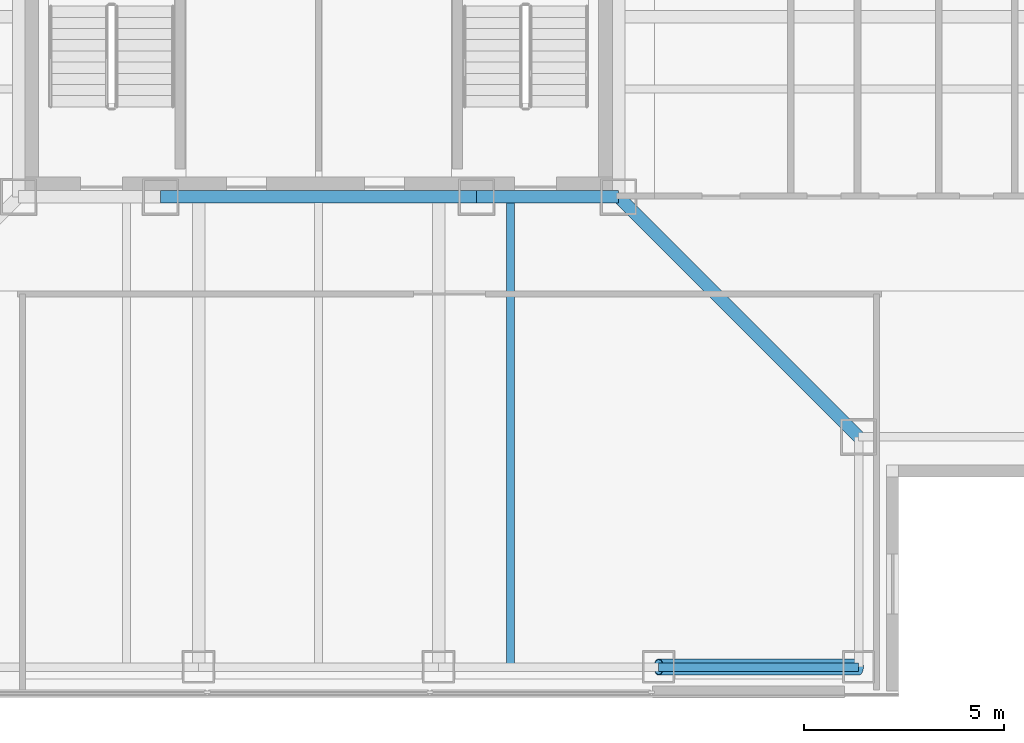
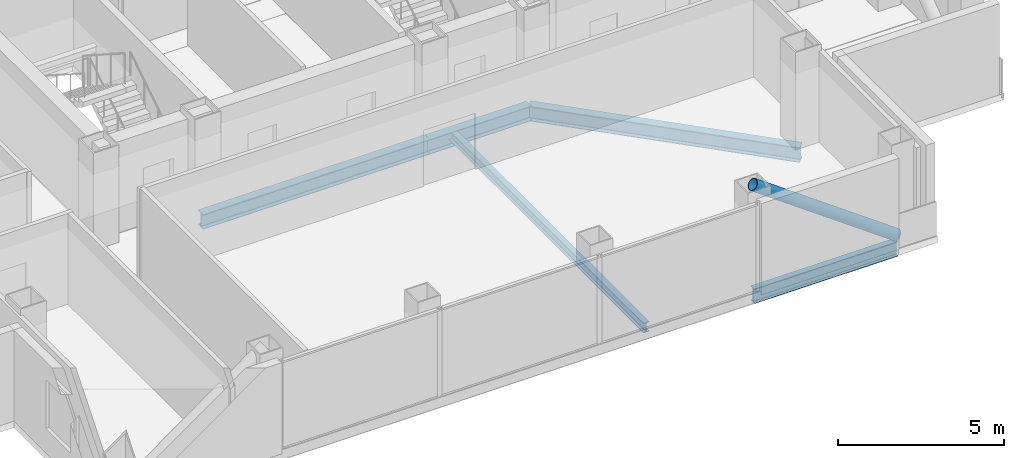
# One storey, part 3 of 16: 5 beams, 1 member.
"""IFC4 building model written with IfcOpenShell, lengths in metres."""

import ifcopenshell
import ifcopenshell.guid

model = None  # the IFC model being written
_history = None  # IfcOwnerHistory: only IFC2X3 demands one
_inside = {}  # id of a spatial element -> (the spatial element, [elements in it])
_under = {}  # id of a project, library or spatial element -> (it, [spatial elements below it])
_declared = {}  # id of a project -> (the project, [libraries it declares])
_typed = {}  # id of a type object -> (the type object, [elements of that type])
_made_of = {}  # id of a material, layer set ... -> (it, [elements and type objects made of it])


def new_model(schema):
    """Start an empty IFC model of exactly this schema.

    Asked for "IFC4X3", IfcOpenShell would pick the latest addendum, in which some entities
    have other attributes; the version numbers below select the first issue.
    IFC2X3 requires an IfcOwnerHistory on every rooted entity: one is made here for all.
    """
    global model, _history
    if schema == "IFC4X3":
        model = ifcopenshell.file(schema_version=(4, 3, 0, 0))
    else:
        model = ifcopenshell.file(schema=schema)
    _inside.clear()
    _under.clear()
    _declared.clear()
    _typed.clear()
    _made_of.clear()
    _history = None
    if model.schema == "IFC2X3":
        org = make("IfcOrganization", Name="unknown")
        user = make(
            "IfcPersonAndOrganization",
            ThePerson=make("IfcPerson", FamilyName="unknown"),
            TheOrganization=org,
        )
        app = make(
            "IfcApplication",
            ApplicationDeveloper=org,
            Version="unknown",
            ApplicationFullName="unknown",
            ApplicationIdentifier="unknown",
        )
        _history = make(
            "IfcOwnerHistory",
            OwningUser=user,
            OwningApplication=app,
            ChangeAction="ADDED",
            CreationDate=0,
        )
    return model


def make(cls, **values):
    """One entity of the class cls with the attributes given. An attribute that is None is left unset."""
    return model.create_entity(
        cls, **{name: value for name, value in values.items() if value is not None}
    )


def rooted(cls, **values):
    """An entity with a GlobalId (a new one), such as an element, a storey or a relation."""
    return make(cls, GlobalId=ifcopenshell.guid.new(), OwnerHistory=_history, **values)


def si_unit(unit_type, name, prefix=None):
    """IfcSIUnit, for example si_unit("LENGTHUNIT", "METRE", prefix="MILLI")."""
    return make("IfcSIUnit", UnitType=unit_type, Prefix=prefix, Name=name)


def assignment(units):
    """IfcUnitAssignment: the units of a project."""
    return None if units is None else make("IfcUnitAssignment", Units=units)


def point(xyz):
    """IfcCartesianPoint."""
    return None if xyz is None else make("IfcCartesianPoint", Coordinates=xyz)


def direction(xyz):
    """IfcDirection."""
    return None if xyz is None else make("IfcDirection", DirectionRatios=xyz)


def frame(location, z_axis=None, x_axis=None):
    """IfcAxis2Placement3D, a coordinate frame: its origin and axes. An axis left out is left unset."""
    return make(
        "IfcAxis2Placement3D",
        Location=point(location),
        Axis=direction(z_axis),
        RefDirection=direction(x_axis),
    )


def frame_2d(location, x_axis=None):
    """IfcAxis2Placement2D, a coordinate frame in the plane: its origin and x axis."""
    return make(
        "IfcAxis2Placement2D", Location=point(location), RefDirection=direction(x_axis)
    )


def origin():
    """The frame at (0, 0, 0) with its axes left unset."""
    return frame((0.0, 0.0, 0.0))


def origin_2d():
    """The frame at (0, 0) in the plane with its x axis left unset."""
    return frame_2d((0.0, 0.0))


def place(relative_to, where):
    """IfcLocalPlacement: puts the frame where relative to a parent placement (None: the world)."""
    return make(
        "IfcLocalPlacement", PlacementRelTo=relative_to, RelativePlacement=where
    )


def context(
    kind, dimensions, precision=None, world=None, true_north=None, identifier=None
):
    """IfcGeometricRepresentationContext, for example the 3D "Model" context."""
    return make(
        "IfcGeometricRepresentationContext",
        ContextIdentifier=identifier,
        ContextType=kind,
        CoordinateSpaceDimension=dimensions,
        Precision=precision,
        WorldCoordinateSystem=world,
        TrueNorth=true_north,
    )


def subcontext(parent, identifier, kind, view, scale=None):
    """IfcGeometricRepresentationSubContext, for example "Body" below "Model"."""
    return make(
        "IfcGeometricRepresentationSubContext",
        ContextIdentifier=identifier,
        ContextType=kind,
        ParentContext=parent,
        TargetScale=scale,
        TargetView=view,
    )


def project(units=None, contexts=None):
    """IfcProject with its units and contexts."""
    return rooted(
        "IfcProject",
        Name="project",
        RepresentationContexts=contexts,
        UnitsInContext=assignment(units),
    )


def spatial(cls, under=None, at=None, **own):
    """A site, building, storey or space (cls), placed at a placement, below another one or the project."""
    s = rooted(cls, ObjectPlacement=at, **own)
    if under is not None:
        _under.setdefault(under.id(), (under, []))[1].append(s)
    return s


def profile(cls, at=None, kind="AREA", **sizes):
    """A parametric profile (cls). Its sizes go by their IFC names, for example OverallWidth=200.0."""
    return make(cls, ProfileType=kind, Position=at, **sizes)


def hollow_circle(**sizes):
    """IfcCircleHollowProfileDef."""
    return profile("IfcCircleHollowProfileDef", **sizes)


def i_section(**sizes):
    """IfcIShapeProfileDef."""
    return profile("IfcIShapeProfileDef", **sizes)


def extrude(swept, where, along, depth):
    """IfcExtrudedAreaSolid: the profile swept, set in the frame where, extruded along a direction by depth."""
    return make(
        "IfcExtrudedAreaSolid",
        SweptArea=swept,
        Position=where,
        ExtrudedDirection=direction(along),
        Depth=depth,
    )


def shape(context_of_items, identifier, shape_type, items):
    """IfcShapeRepresentation: the items that make up one representation, for example the "Body"."""
    return make(
        "IfcShapeRepresentation",
        ContextOfItems=context_of_items,
        RepresentationIdentifier=identifier,
        RepresentationType=shape_type,
        Items=items,
    )


def material(Name=None, Category=None):
    """IfcMaterial."""
    return make("IfcMaterial", Name=Name, Category=Category)


def material_profile(
    of_material, cross_section, Name=None, Category=None, Priority=None
):
    """IfcMaterialProfile: a cross section and its material."""
    return make(
        "IfcMaterialProfile",
        Name=Name,
        Material=of_material,
        Profile=cross_section,
        Priority=Priority,
        Category=Category,
    )


def profile_set(profiles, Name=None, composite=None):
    """IfcMaterialProfileSet."""
    return make(
        "IfcMaterialProfileSet",
        Name=Name,
        MaterialProfiles=profiles,
        CompositeProfile=composite,
    )


def made_of(thing, what):
    """Note that an element or type object is made of a material, layer set ...; save() writes the relation."""
    if what is not None:
        _made_of.setdefault(what.id(), (what, []))[1].append(thing)
    return thing


def type_object(cls, material=None, **own):
    """A type object (cls), such as IfcWallType, which elements share."""
    return made_of(rooted(cls, **own), material)


def element(
    cls,
    number,
    at=None,
    inside=None,
    cuts=None,
    type_object=None,
    material=None,
    context=None,
    identifier="Body",
    shape_type=None,
    held_by="IfcProductDefinitionShape",
    body=None,
    shapes=None,
    **own,
):
    """One element of the class cls, such as IfcWall. Its Tag is "e" and its number.

    at: its placement. inside: the storey or other place that contains it. cuts: it is an
    opening in that element (IfcRelVoidsElement). A single representation is given by context,
    identifier, shape_type and body (its items); several are given by shapes. held_by: the class
    of the entity that holds the representations. save() writes the other relations.
    """
    e = rooted(cls, Tag="e%d" % number, ObjectPlacement=at, **own)
    if body is not None:
        shapes = [shape(context, identifier, shape_type, body)]
    if shapes is not None:
        e.Representation = make(held_by, Representations=shapes)
    if inside is not None:
        _inside.setdefault(inside.id(), (inside, []))[1].append(e)
    if cuts is not None:
        rooted(
            "IfcRelVoidsElement", RelatingBuildingElement=cuts, RelatedOpeningElement=e
        )
    if type_object is not None:
        _typed.setdefault(type_object.id(), (type_object, []))[1].append(e)
    return made_of(e, material)


def aggregate(whole, parts):
    """IfcRelAggregates: a whole, such as a stair, and the parts it consists of."""
    return rooted("IfcRelAggregates", RelatingObject=whole, RelatedObjects=parts)


def save(model, path):
    """Write the relations noted so far, then the file.

    IfcRelAggregates (storeys below a building ...), IfcRelContainedInSpatialStructure (elements
    in a storey), IfcRelDefinesByType, IfcRelAssociatesMaterial and IfcRelDeclares: one each for
    every whole, place, type object, material and project.
    """
    for whole, parts in _under.values():
        aggregate(whole, parts)
    for where, things in _inside.values():
        rooted(
            "IfcRelContainedInSpatialStructure",
            RelatedElements=things,
            RelatingStructure=where,
        )
    for kind, things in _typed.values():
        rooted("IfcRelDefinesByType", RelatedObjects=things, RelatingType=kind)
    for what, things in _made_of.values():
        rooted("IfcRelAssociatesMaterial", RelatedObjects=things, RelatingMaterial=what)
    for by, libraries in _declared.values():
        rooted("IfcRelDeclares", RelatingContext=by, RelatedDefinitions=libraries)
    model.write(path)


model = new_model("IFC4")

# Units and contexts
model_context = context("Model", 3, precision=1e-05, world=origin(), true_north=direction((0.0, 1.0)))
body_context = subcontext(model_context, "Body", "Model", "MODEL_VIEW")
ifc_project = project(units=[si_unit("LENGTHUNIT", "METRE"), si_unit("AREAUNIT", "SQUARE_METRE"), si_unit("VOLUMEUNIT", "CUBIC_METRE"), si_unit("PLANEANGLEUNIT", "RADIAN"), si_unit("MASSUNIT", "GRAM", prefix="KILO")], contexts=[model_context])

# Site, building, storey
site_placement = place(None, origin())
site = spatial("IfcSite", under=ifc_project, at=site_placement, CompositionType="ELEMENT")
building_placement = place(site_placement, origin())
building = spatial("IfcBuilding", under=site, at=building_placement, Name="Trevonay Congress Spire", CompositionType="ELEMENT")
storey_placement = place(building_placement, frame((0.0, 0.0, 202.199951171875)))
storey = spatial("IfcBuildingStorey", under=building, at=storey_placement, Name="L52", CompositionType="ELEMENT", Elevation=202.199951171875)

# Beams
ifc_material_1 = material(Name="Steel ASTM A572 Grade 50", Category="steel")
ifc_material_profile_1 = material_profile(ifc_material_1, i_section(OverallWidth=0.31201171875, OverallDepth=0.54296875, WebThickness=0.0126953125, FlangeThickness=0.020263671875, FilletRadius=0.014892578125, at=origin_2d()), Name="W530x150")
ifc_profile_set_1 = profile_set([ifc_material_profile_1], Name="Steel ASTM A572 Grade 50")
beam_type_1 = type_object("IfcBeamType", Name="BM-GIRD-W530X150", PredefinedType="BEAM", material=ifc_profile_set_1)
beam_1_placement = place(storey_placement, frame((-3.949951171875, -7.5, -0.511474609375), z_axis=(1.0, 0.0, 0.0), x_axis=(0.0, 1.0, 0.0)))
element("IfcBeam", 1, at=beam_1_placement, inside=storey, type_object=beam_type_1, Name="L52 structural beam BM-L52-CR-S2", PredefinedType="BEAM", context=body_context, shape_type="SweptSolid", body=[
    extrude(i_section(OverallWidth=0.31201171875, OverallDepth=0.54296875, WebThickness=0.0126953125, FlangeThickness=0.020263671875, FilletRadius=0.014892578125, at=origin_2d()), origin(), (0.0, 0.0, 1.0), 7.89990234375),
])
beam_2_placement = place(storey_placement, frame((3.949951171875, -7.5, -0.511474609375), z_axis=(1.0, 0.0, 0.0), x_axis=(0.0, 1.0, 0.0)))
element("IfcBeam", 2, at=beam_2_placement, inside=storey, type_object=beam_type_1, Name="L52 structural beam BM-L52-CR-S3", PredefinedType="BEAM", context=body_context, shape_type="SweptSolid", body=[
    extrude(i_section(OverallWidth=0.31201171875, OverallDepth=0.54296875, WebThickness=0.0126953125, FlangeThickness=0.020263671875, FilletRadius=0.014892578125, at=origin_2d()), origin(), (0.0, 0.0, 1.0), 3.550048828125),
])
beam_3_placement = place(storey_placement, frame((7.5, -7.5, -0.511474609375), z_axis=(0.707106781187, -0.707106781187, 0.0), x_axis=(0.707106781187, 0.707106781187, 0.0)))
element("IfcBeam", 3, at=beam_3_placement, inside=storey, type_object=beam_type_1, Name="L52 structural beam BM-L52-CDSE", PredefinedType="BEAM", context=body_context, shape_type="SweptSolid", body=[
    extrude(i_section(OverallWidth=0.31201171875, OverallDepth=0.54296875, WebThickness=0.0126953125, FlangeThickness=0.020263671875, FilletRadius=0.014892578125, at=origin_2d()), origin(), (0.0, 0.0, 1.0), 8.4853515625),
])
ifc_material_profile_2 = material_profile(ifc_material_1, i_section(OverallWidth=0.2119140625, OverallDepth=0.5439453125, WebThickness=0.01318359375, FlangeThickness=0.021240234375, FilletRadius=0.014892578125, at=origin_2d()), Name="W530x123")
ifc_profile_set_2 = profile_set([ifc_material_profile_2], Name="Steel ASTM A572 Grade 50")
beam_type_2 = type_object("IfcBeamType", Name="BM-RING-W530X123", PredefinedType="BEAM", material=ifc_profile_set_2)
beam_4_placement = place(storey_placement, frame((8.5, -19.25, -0.511962890625), z_axis=(1.0, 0.0, 0.0), x_axis=(0.0, 1.0, 0.0)))
element("IfcBeam", 4, at=beam_4_placement, inside=storey, type_object=beam_type_2, Name="L52 structural beam BM-L52-PS5", PredefinedType="BEAM", context=body_context, shape_type="SweptSolid", body=[
    extrude(i_section(OverallWidth=0.2119140625, OverallDepth=0.5439453125, WebThickness=0.01318359375, FlangeThickness=0.021240234375, FilletRadius=0.014892578125, at=origin_2d()), origin(), (0.0, 0.0, 1.0), 5.0),
])
ifc_material_profile_3 = material_profile(ifc_material_1, i_section(OverallWidth=0.205078125, OverallDepth=0.35400390625, WebThickness=0.009521484375, FlangeThickness=0.016845703125, FilletRadius=0.011962890625, at=origin_2d()), Name="W360x79")
ifc_profile_set_3 = profile_set([ifc_material_profile_3], Name="Steel ASTM A572 Grade 50")
beam_type_3 = type_object("IfcBeamType", Name="JS-COMP-W360X79", PredefinedType="JOIST", material=ifc_profile_set_3)
beam_5_placement = place(storey_placement, frame((4.800048828125, -19.25, -0.4169921875), z_axis=(0.0, 1.0, 0.0), x_axis=(-1.0, 0.0, 0.0)))
element("IfcBeam", 5, at=beam_5_placement, inside=storey, type_object=beam_type_3, Name="L52 structural beam JS-L52-NS-S3", PredefinedType="JOIST", context=body_context, shape_type="SweptSolid", body=[
    extrude(i_section(OverallWidth=0.205078125, OverallDepth=0.35400390625, WebThickness=0.009521484375, FlangeThickness=0.016845703125, FilletRadius=0.011962890625, at=origin_2d()), origin(), (0.0, 0.0, 1.0), 11.75),
])

# Member
ifc_material_2 = material(Name="Steel ASTM A500 Grade C", Category="steel")
ifc_material_profile_4 = material_profile(ifc_material_2, hollow_circle(Radius=0.203125, WallThickness=0.02001953125, at=origin_2d()), Name="CHS 406.4x20")
ifc_profile_set_4 = profile_set([ifc_material_profile_4], Name="Steel ASTM A500 Grade C")
member_type = type_object("IfcMemberType", Name="MBR-TUBE-CHS406", PredefinedType="BRACE", material=ifc_profile_set_4)
member_placement = place(storey_placement, frame((13.5, -19.25, -0.050048828125), z_axis=(-0.811526825515, 0.0, 0.584315164504), x_axis=(0.0, -1.0, 0.0)))
element("IfcMember", 6, at=member_placement, inside=storey, type_object=member_type, Name="L52 perimeter braced-tube diagonal S4", PredefinedType="BRACE", context=body_context, shape_type="SweptSolid", body=[
    extrude(hollow_circle(Radius=0.203125, WallThickness=0.02001953125, at=origin_2d()), origin(), (0.0, 0.0, 1.0), 6.1611328125),
])

save(model, "model.ifc")
